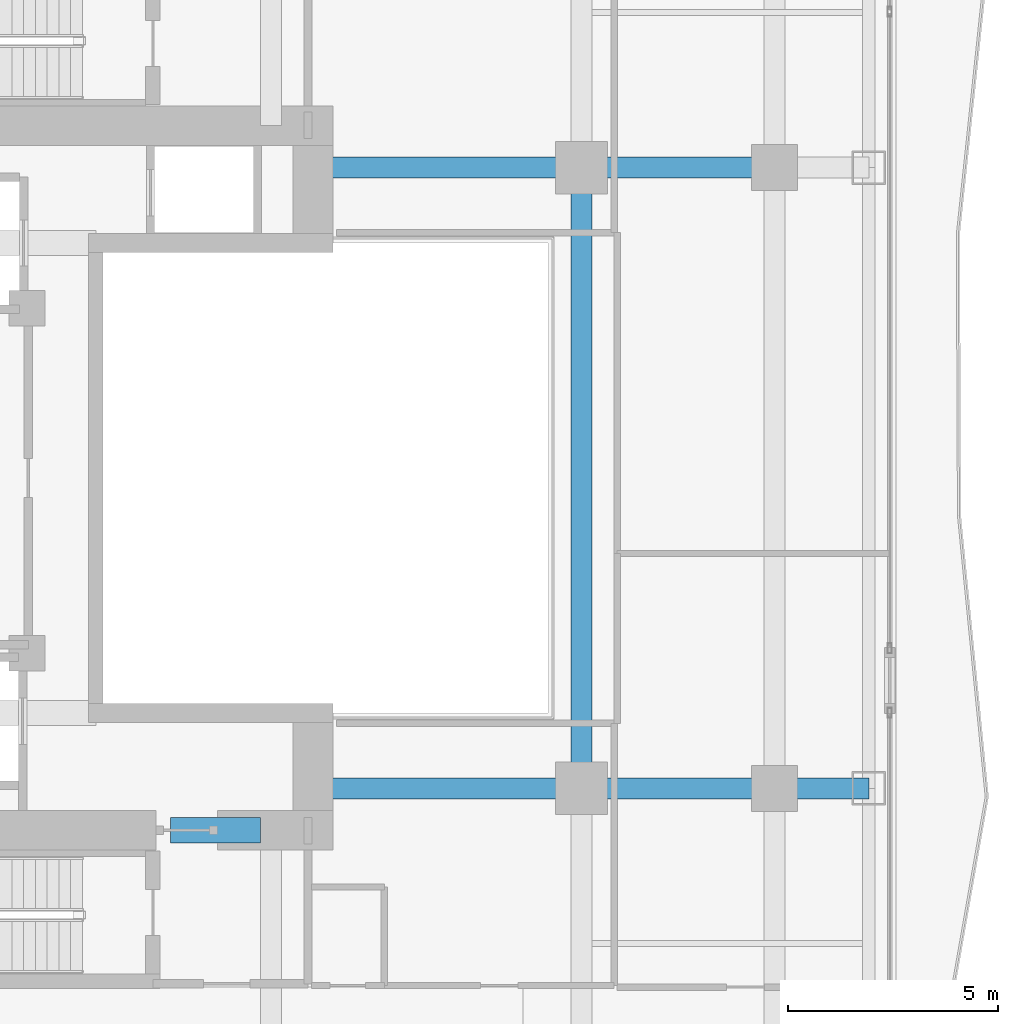
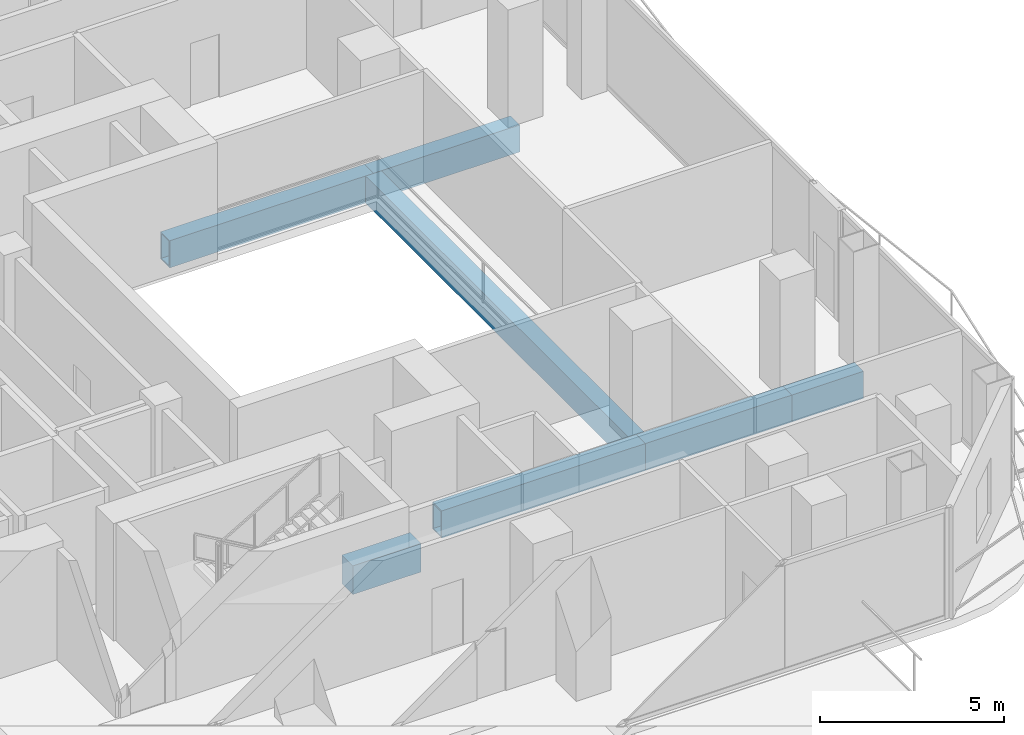
# One storey, part 7 of 29: 7 beams.
"""IFC4 building model written with IfcOpenShell, lengths in metres."""

from ifc_helpers import new_model, si_unit, direction, frame, origin, origin_2d, place, context, subcontext, project, spatial, rectangle, hollow_rectangle, extrude, material, material_profile, profile_set, type_object, element, save


model = new_model("IFC4")

# Units and contexts
model_context = context("Model", 3, precision=1e-05, world=origin(), true_north=direction((0.0, 1.0)))
body_context = subcontext(model_context, "Body", "Model", "MODEL_VIEW")
ifc_project = project(units=[si_unit("LENGTHUNIT", "METRE"), si_unit("AREAUNIT", "SQUARE_METRE"), si_unit("VOLUMEUNIT", "CUBIC_METRE"), si_unit("PLANEANGLEUNIT", "RADIAN"), si_unit("MASSUNIT", "GRAM", prefix="KILO")], contexts=[model_context])

# Site, building, storey
site_placement = place(None, origin())
site = spatial("IfcSite", under=ifc_project, at=site_placement, CompositionType="ELEMENT")
building_placement = place(site_placement, origin())
building = spatial("IfcBuilding", under=site, at=building_placement, Name="Khorvyn Point Tower", CompositionType="ELEMENT")
storey_placement = place(building_placement, frame((0.0, 0.0, 85.199951171875)))
storey = spatial("IfcBuildingStorey", under=building, at=storey_placement, Name="L21", CompositionType="ELEMENT", Elevation=85.199951171875)

# Beams
ifc_material_1 = material(Name="Concrete C50/60", Category="concrete")
ifc_material_profile_1 = material_profile(ifc_material_1, rectangle(XDim=0.60009765625, YDim=0.949951171875, at=origin_2d()))
ifc_profile_set_1 = profile_set([ifc_material_profile_1], Name="Concrete C50/60 RC600x950")
beam_type_1 = type_object("IfcBeamType", Name="Concrete C50/60 Beam RC600x950", PredefinedType="BEAM", material=ifc_profile_set_1)
beam_1_placement = place(storey_placement, frame((5.0, -8.39990234375, -0.7548828125), z_axis=(1.0, 0.0, 0.0), x_axis=(0.0, 1.0, 0.0)))
element("IfcBeam", 1, at=beam_1_placement, inside=storey, type_object=beam_type_1, Name="L21 Core Southeast Portal Coupling Beam", PredefinedType="BEAM", context=body_context, shape_type="SweptSolid", body=[
    extrude(rectangle(XDim=0.60009765625, YDim=0.949951171875, at=origin_2d()), origin(), (0.0, 0.0, 1.0), 2.14990234375),
])
ifc_material_2 = material(Name="Steel S450", Category="steel")
ifc_material_profile_2 = material_profile(ifc_material_2, hollow_rectangle(XDim=0.5, YDim=0.89990234375, WallThickness=0.0400390625, at=origin_2d()))
ifc_profile_set_2 = profile_set([ifc_material_profile_2], Name="Steel S450 BOX900x500x40")
beam_type_2 = type_object("IfcBeamType", Name="Steel S450 Beam BOX900x500x40", PredefinedType="BEAM", material=ifc_profile_set_2)
beam_2_placement = place(storey_placement, frame((8.39990234375, -7.39990234375, -0.72998046875), z_axis=(1.0, 0.0, 0.0), x_axis=(0.0, 1.0, 0.0)))
element("IfcBeam", 2, at=beam_2_placement, inside=storey, type_object=beam_type_2, Name="Beam", PredefinedType="BEAM", context=body_context, shape_type="SweptSolid", body=[
    extrude(hollow_rectangle(XDim=0.5, YDim=0.89990234375, WallThickness=0.0400390625, at=origin_2d()), origin(), (0.0, 0.0, 1.0), 6.400146484375),
])
beam_3_placement = place(storey_placement, frame((14.800048828125, -7.39990234375, -0.72998046875), z_axis=(1.0, 0.0, 0.0), x_axis=(0.0, 1.0, 0.0)))
element("IfcBeam", 3, at=beam_3_placement, inside=storey, type_object=beam_type_2, Name="Beam", PredefinedType="BEAM", context=body_context, shape_type="SweptSolid", body=[
    extrude(hollow_rectangle(XDim=0.5, YDim=0.89990234375, WallThickness=0.0400390625, at=origin_2d()), origin(), (0.0, 0.0, 1.0), 4.599853515625),
])
beam_4_placement = place(storey_placement, frame((19.39990234375, -7.39990234375, -0.72998046875), z_axis=(1.0, 0.0, 0.0), x_axis=(0.0, 1.0, 0.0)))
element("IfcBeam", 4, at=beam_4_placement, inside=storey, type_object=beam_type_2, Name="Beam", PredefinedType="BEAM", context=body_context, shape_type="SweptSolid", body=[
    extrude(hollow_rectangle(XDim=0.5, YDim=0.89990234375, WallThickness=0.0400390625, at=origin_2d()), origin(), (0.0, 0.0, 1.0), 2.25),
])
beam_5_placement = place(storey_placement, frame((8.39990234375, 7.39990234375, -0.72998046875), z_axis=(1.0, 0.0, 0.0), x_axis=(0.0, 1.0, 0.0)))
element("IfcBeam", 5, at=beam_5_placement, inside=storey, type_object=beam_type_2, Name="Beam", PredefinedType="BEAM", context=body_context, shape_type="SweptSolid", body=[
    extrude(hollow_rectangle(XDim=0.5, YDim=0.89990234375, WallThickness=0.0400390625, at=origin_2d()), origin(), (0.0, 0.0, 1.0), 6.400146484375),
])
beam_6_placement = place(storey_placement, frame((14.800048828125, 7.39990234375, -0.72998046875), z_axis=(1.0, 0.0, 0.0), x_axis=(0.0, 1.0, 0.0)))
element("IfcBeam", 6, at=beam_6_placement, inside=storey, type_object=beam_type_2, Name="Beam", PredefinedType="BEAM", context=body_context, shape_type="SweptSolid", body=[
    extrude(hollow_rectangle(XDim=0.5, YDim=0.89990234375, WallThickness=0.0400390625, at=origin_2d()), origin(), (0.0, 0.0, 1.0), 4.599853515625),
])
beam_7_placement = place(storey_placement, frame((14.800048828125, -7.39990234375, -0.72998046875), z_axis=(0.0, 1.0, 0.0), x_axis=(-1.0, 0.0, 0.0)))
element("IfcBeam", 7, at=beam_7_placement, inside=storey, type_object=beam_type_2, Name="L21 Radial Transfer Girder", PredefinedType="BEAM", context=body_context, shape_type="SweptSolid", body=[
    extrude(hollow_rectangle(XDim=0.5, YDim=0.89990234375, WallThickness=0.0400390625, at=origin_2d()), origin(), (0.0, 0.0, 1.0), 14.7998046875),
])

save(model, "model.ifc")
